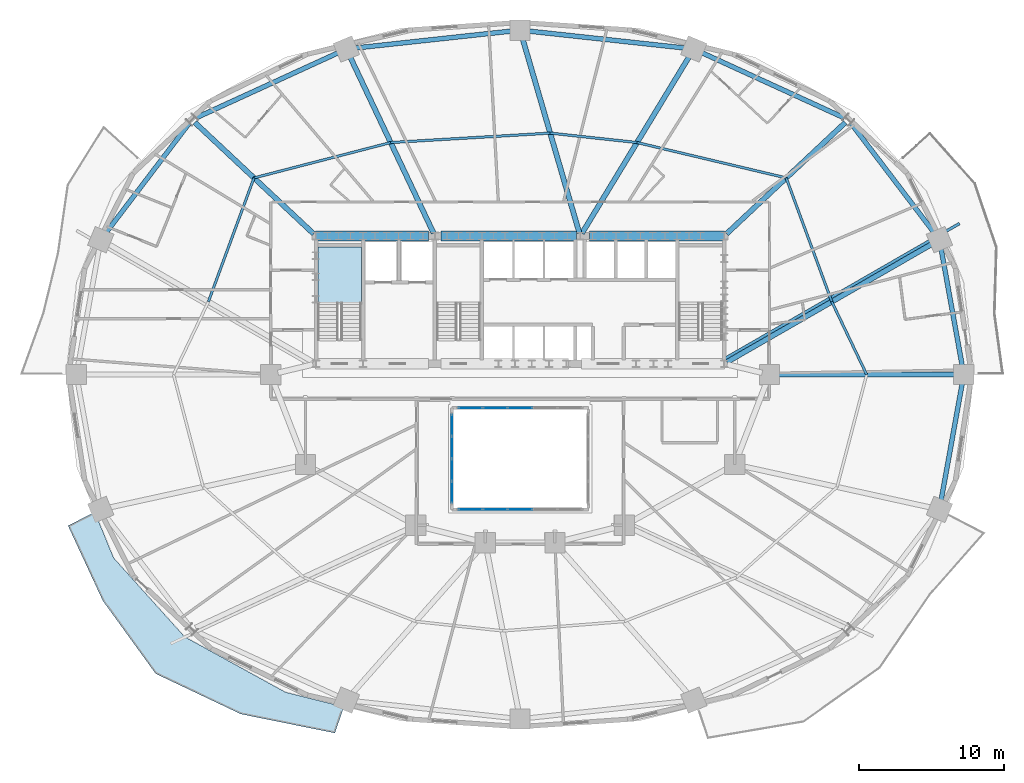
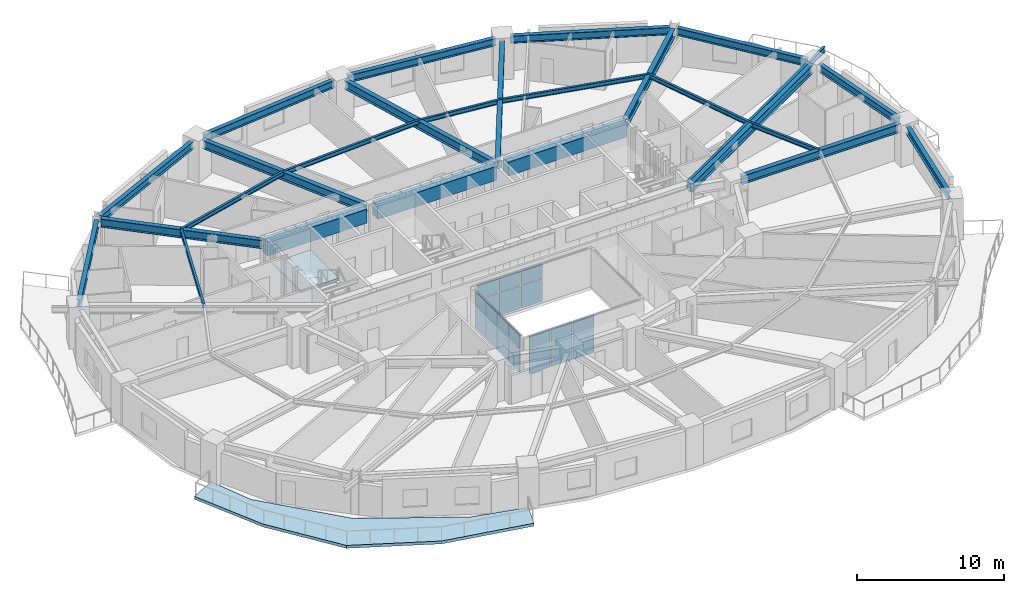
# One storey, part 7 of 17: 26 beams, 20 plates, 2 slabs, 4 elements without a shape of their own.
"""IFC4 building model written with IfcOpenShell, lengths in metres."""

from ifc_helpers import new_model, si_unit, direction, frame, origin, origin_2d, place, context, subcontext, project, spatial, polyline, rectangle, i_section, outline, extrude, material, layer, layer_set, material_profile, profile_set, type_object, element, aggregate, save


model = new_model("IFC4")

# Units and contexts
model_context = context("Model", 3, precision=1e-05, world=origin(), true_north=direction((0.0, 1.0)))
body_context = subcontext(model_context, "Body", "Model", "MODEL_VIEW")
ifc_project = project(units=[si_unit("LENGTHUNIT", "METRE"), si_unit("AREAUNIT", "SQUARE_METRE"), si_unit("VOLUMEUNIT", "CUBIC_METRE"), si_unit("PLANEANGLEUNIT", "RADIAN"), si_unit("MASSUNIT", "GRAM", prefix="KILO")], contexts=[model_context])

# Site, building, storey
site_placement = place(None, origin())
site = spatial("IfcSite", under=ifc_project, at=site_placement, CompositionType="ELEMENT")
building_placement = place(site_placement, origin())
building = spatial("IfcBuilding", under=site, at=building_placement, Name="Haldorwick Loom Tower", CompositionType="ELEMENT")
storey_placement = place(building_placement, frame((0.0, 0.0, 34.35009765625)))
storey = spatial("IfcBuildingStorey", under=building, at=storey_placement, Name="L08", CompositionType="ELEMENT", Elevation=34.35009765625)

# Beams
ifc_material_1 = material(Name="Steel CSA G40.21 350W", Category="steel")
ifc_material_profile_1 = material_profile(ifc_material_1, i_section(OverallWidth=0.193115234375, OverallDepth=0.466064453125, WebThickness=0.011474609375, FlangeThickness=0.01904296875, at=origin_2d()), Name="W460X97", Category="steel")
ifc_profile_set_1 = profile_set([ifc_material_profile_1], Name="Steel CSA G40.21 350W")
beam_type_1 = type_object("IfcBeamType", Name="STR-BM-BAL460", PredefinedType="BEAM", material=ifc_profile_set_1)
beam_1_placement = place(storey_placement, frame((50.125244140625, 27.10498046875, 2.976806640625), z_axis=(0.866607024941, 0.49899124674, 0.0), x_axis=(-0.49899124674, 0.866607024941, 0.0)))
element("IfcBeam", 1, at=beam_1_placement, inside=storey, type_object=beam_type_1, Name="L08 Continuous Back-Spanned Balcony Beam 4", PredefinedType="BEAM", context=body_context, shape_type="SweptSolid", body=[
    extrude(i_section(OverallWidth=0.193115234375, OverallDepth=0.466064453125, WebThickness=0.011474609375, FlangeThickness=0.01904296875, at=origin_2d()), origin(), (0.0, 0.0, 1.0), 18.65771484375),
])
ifc_material_2 = material(Name="Concrete C60 (60 MPa)", Category="concrete")
ifc_material_profile_2 = material_profile(ifc_material_2, rectangle(XDim=0.699951171875, YDim=1.14990234375, at=origin_2d()), Name="RC700X1150", Category="concrete")
ifc_profile_set_2 = profile_set([ifc_material_profile_2], Name="Concrete C60 (60 MPa)")
beam_type_2 = type_object("IfcBeamType", Name="STR-BM-CB1150", PredefinedType="LINTEL", material=ifc_profile_set_2)
beam_2_placement = place(storey_placement, frame((21.89990234375, 35.550048828125, 2.635009765625), z_axis=(1.0, 0.0, 0.0), x_axis=(0.0, 1.0, 0.0)))
element("IfcBeam", 2, at=beam_2_placement, inside=storey, type_object=beam_type_2, Name="L08 Core Coupling Beam CB-N1", PredefinedType="LINTEL", context=body_context, shape_type="SweptSolid", body=[
    extrude(rectangle(XDim=0.699951171875, YDim=1.14990234375, at=origin_2d()), origin(), (0.0, 0.0, 1.0), 7.800048828125),
])
beam_3_placement = place(storey_placement, frame((30.550048828125, 35.550048828125, 2.635009765625), z_axis=(1.0, 0.0, 0.0), x_axis=(0.0, 1.0, 0.0)))
element("IfcBeam", 3, at=beam_3_placement, inside=storey, type_object=beam_type_2, Name="L08 Core Coupling Beam CB-N2", PredefinedType="LINTEL", context=body_context, shape_type="SweptSolid", body=[
    extrude(rectangle(XDim=0.699951171875, YDim=1.14990234375, at=origin_2d()), origin(), (0.0, 0.0, 1.0), 9.349853515625),
])
beam_4_placement = place(storey_placement, frame((40.800048828125, 35.550048828125, 2.635009765625), z_axis=(1.0, 0.0, 0.0), x_axis=(0.0, 1.0, 0.0)))
element("IfcBeam", 4, at=beam_4_placement, inside=storey, type_object=beam_type_2, Name="L08 Core Coupling Beam CB-N3", PredefinedType="LINTEL", context=body_context, shape_type="SweptSolid", body=[
    extrude(rectangle(XDim=0.699951171875, YDim=1.14990234375, at=origin_2d()), origin(), (0.0, 0.0, 1.0), 9.300048828125),
])
ifc_material_profile_3 = material_profile(ifc_material_1, i_section(OverallWidth=0.172119140625, OverallDepth=0.35791015625, WebThickness=0.0078125, FlangeThickness=0.01318359375, at=origin_2d()), Name="W360X57", Category="steel")
ifc_profile_set_3 = profile_set([ifc_material_profile_3], Name="Steel CSA G40.21 350W")
beam_type_3 = type_object("IfcBeamType", Name="STR-BM-J360", PredefinedType="JOIST", material=ifc_profile_set_3)
beam_5_placement = place(storey_placement, frame((59.89794921875, 26.0, 3.031005859375), z_axis=(-0.431630738849, 0.902050389546, 0.0), x_axis=(-0.902050389546, -0.431630738849, 0.0)))
element("IfcBeam", 5, at=beam_5_placement, inside=storey, type_object=beam_type_3, Name="L08 Mid-Bay Secondary Joist 1", PredefinedType="JOIST", context=body_context, shape_type="SweptSolid", body=[
    extrude(i_section(OverallWidth=0.172119140625, OverallDepth=0.35791015625, WebThickness=0.0078125, FlangeThickness=0.01318359375, at=origin_2d()), origin(), (0.0, 0.0, 1.0), 5.5703125),
])
beam_6_placement = place(storey_placement, frame((57.49365234375, 31.024658203125, 3.031005859375), z_axis=(-0.345576005762, 0.938390763084, 0.0), x_axis=(-0.938390763084, -0.345576005762, 0.0)))
element("IfcBeam", 6, at=beam_6_placement, inside=storey, type_object=beam_type_3, Name="L08 Mid-Bay Secondary Joist 2", PredefinedType="JOIST", context=body_context, shape_type="SweptSolid", body=[
    extrude(i_section(OverallWidth=0.172119140625, OverallDepth=0.35791015625, WebThickness=0.0078125, FlangeThickness=0.01318359375, at=origin_2d()), origin(), (0.0, 0.0, 1.0), 9.0966796875),
])
beam_7_placement = place(storey_placement, frame((54.35009765625, 39.560791015625, 3.031005859375), z_axis=(-0.973016191143, 0.230736845289, 0.0), x_axis=(-0.230736845289, -0.973016191143, 0.0)))
element("IfcBeam", 7, at=beam_7_placement, inside=storey, type_object=beam_type_3, Name="L08 Mid-Bay Secondary Joist 3", PredefinedType="JOIST", context=body_context, shape_type="SweptSolid", body=[
    extrude(i_section(OverallWidth=0.172119140625, OverallDepth=0.35791015625, WebThickness=0.0078125, FlangeThickness=0.01318359375, at=origin_2d()), origin(), (0.0, 0.0, 1.0), 10.5712890625),
])
beam_8_placement = place(storey_placement, frame((44.06396484375, 42.0, 3.031005859375), z_axis=(-0.994163660215, 0.107882420753, 0.0), x_axis=(-0.107882420753, -0.994163660215, 0.0)))
element("IfcBeam", 8, at=beam_8_placement, inside=storey, type_object=beam_type_3, Name="L08 Mid-Bay Secondary Joist 4", PredefinedType="JOIST", context=body_context, shape_type="SweptSolid", body=[
    extrude(i_section(OverallWidth=0.172119140625, OverallDepth=0.35791015625, WebThickness=0.0078125, FlangeThickness=0.01318359375, at=origin_2d()), origin(), (0.0, 0.0, 1.0), 6.024169921875),
])
beam_9_placement = place(storey_placement, frame((38.074951171875, 42.64990234375, 3.031005859375), z_axis=(-0.998258904552, -0.058984400336, 0.0), x_axis=(0.058984400336, -0.998258904552, 0.0)))
element("IfcBeam", 9, at=beam_9_placement, inside=storey, type_object=beam_type_3, Name="L08 Mid-Bay Secondary Joist 5", PredefinedType="JOIST", context=body_context, shape_type="SweptSolid", body=[
    extrude(i_section(OverallWidth=0.172119140625, OverallDepth=0.35791015625, WebThickness=0.0078125, FlangeThickness=0.01318359375, at=origin_2d()), origin(), (0.0, 0.0, 1.0), 11.018310546875),
])
beam_10_placement = place(storey_placement, frame((27.075927734375, 42.0, 3.031005859375), z_axis=(-0.968110955806, -0.250521809927, 0.0), x_axis=(0.250521809927, -0.968110955806, 0.0)))
element("IfcBeam", 10, at=beam_10_placement, inside=storey, type_object=beam_type_3, Name="L08 Mid-Bay Secondary Joist 6", PredefinedType="JOIST", context=body_context, shape_type="SweptSolid", body=[
    extrude(i_section(OverallWidth=0.172119140625, OverallDepth=0.35791015625, WebThickness=0.0078125, FlangeThickness=0.01318359375, at=origin_2d()), origin(), (0.0, 0.0, 1.0), 9.736572265625),
])
beam_11_placement = place(storey_placement, frame((17.64990234375, 39.560791015625, 3.031005859375), z_axis=(-0.345576005762, -0.938390763084, 0.0), x_axis=(0.938390763084, -0.345576005762, 0.0)))
element("IfcBeam", 11, at=beam_11_placement, inside=storey, type_object=beam_type_3, Name="L08 Mid-Bay Secondary Joist 7", PredefinedType="JOIST", context=body_context, shape_type="SweptSolid", body=[
    extrude(i_section(OverallWidth=0.172119140625, OverallDepth=0.35791015625, WebThickness=0.0078125, FlangeThickness=0.01318359375, at=origin_2d()), origin(), (0.0, 0.0, 1.0), 9.0966796875),
])
ifc_material_profile_4 = material_profile(ifc_material_1, i_section(OverallWidth=0.324951171875, OverallDepth=0.615966796875, WebThickness=0.013916015625, FlangeThickness=0.021484375, at=origin_2d()), Name="W610X174", Category="steel")
ifc_profile_set_4 = profile_set([ifc_material_profile_4], Name="Steel CSA G40.21 350W")
beam_type_4 = type_object("IfcBeamType", Name="STR-BM-SP610", PredefinedType="SPANDREL", material=ifc_profile_set_4)
beam_12_placement = place(storey_placement, frame((66.503662109375, 26.51171875, 2.90185546875), z_axis=(-0.177641139482, 0.984095333575, 0.0), x_axis=(-0.984095333575, -0.177641139482, 0.0)))
element("IfcBeam", 12, at=beam_12_placement, inside=storey, type_object=beam_type_4, Name="L08 Perimeter Spandrel 1", PredefinedType="SPANDREL", context=body_context, shape_type="SweptSolid", body=[
    extrude(i_section(OverallWidth=0.324951171875, OverallDepth=0.615966796875, WebThickness=0.013916015625, FlangeThickness=0.021484375, at=origin_2d()), origin(), (0.0, 0.0, 1.0), 8.40966796875),
])
beam_13_placement = place(storey_placement, frame((64.602783203125, 35.713134765625, 2.90185546875), z_axis=(-0.605084557744, 0.796161213562, 0.0), x_axis=(-0.796161213562, -0.605084557744, 0.0)))
element("IfcBeam", 13, at=beam_13_placement, inside=storey, type_object=beam_type_4, Name="L08 Perimeter Spandrel 2", PredefinedType="SPANDREL", context=body_context, shape_type="SweptSolid", body=[
    extrude(i_section(OverallWidth=0.324951171875, OverallDepth=0.615966796875, WebThickness=0.013916015625, FlangeThickness=0.021484375, at=origin_2d()), origin(), (0.0, 0.0, 1.0), 9.595703125),
])
beam_14_placement = place(storey_placement, frame((58.380126953125, 43.68603515625, 2.90185546875), z_axis=(-0.909173805321, 0.416416848504, 0.0), x_axis=(-0.416416848504, -0.909173805321, 0.0)))
element("IfcBeam", 14, at=beam_14_placement, inside=storey, type_object=beam_type_4, Name="L08 Perimeter Spandrel 3", PredefinedType="SPANDREL", context=body_context, shape_type="SweptSolid", body=[
    extrude(i_section(OverallWidth=0.324951171875, OverallDepth=0.615966796875, WebThickness=0.013916015625, FlangeThickness=0.021484375, at=origin_2d()), origin(), (0.0, 0.0, 1.0), 10.92138671875),
])
for number, where, z_axis, x_axis, name in (
    (15, (47.4609375, 48.50634765625, 2.90185546875), (-0.994164438636, 0.107875247167, 0.0), (-0.107875247167, -0.994164438636, 0.0), "L08 Perimeter Spandrel 4"),
    (16, (35.48291015625, 49.69384765625, 2.90185546875), (-0.994164438636, -0.107875247167, 0.0), (0.107875247167, -0.994164438636, 0.0), "L08 Perimeter Spandrel 5"),
):
    element("IfcBeam", number, at=place(storey_placement, frame(where, z_axis=z_axis, x_axis=x_axis)), inside=storey, type_object=beam_type_4, Name=name, PredefinedType="SPANDREL", context=body_context, shape_type="SweptSolid", body=[
        extrude(i_section(OverallWidth=0.324951171875, OverallDepth=0.615966796875, WebThickness=0.013916015625, FlangeThickness=0.021484375, at=origin_2d()), origin(), (0.0, 0.0, 1.0), 11.008056640625),
    ])
beam_15_placement = place(storey_placement, frame((23.54931640625, 48.23388671875, 2.90185546875), z_axis=(-0.909173805321, -0.416416848504, 0.0), x_axis=(0.416416848504, -0.909173805321, 0.0)))
element("IfcBeam", 17, at=beam_15_placement, inside=storey, type_object=beam_type_4, Name="L08 Perimeter Spandrel 6", PredefinedType="SPANDREL", context=body_context, shape_type="SweptSolid", body=[
    extrude(i_section(OverallWidth=0.324951171875, OverallDepth=0.615966796875, WebThickness=0.013916015625, FlangeThickness=0.021484375, at=origin_2d()), origin(), (0.0, 0.0, 1.0), 10.92138671875),
])
beam_16_placement = place(storey_placement, frame((13.203369140625, 43.352783203125, 2.90185546875), z_axis=(-0.605084557744, -0.796161213562, 0.0), x_axis=(0.796161213562, -0.605084557744, 0.0)))
element("IfcBeam", 18, at=beam_16_placement, inside=storey, type_object=beam_type_4, Name="L08 Perimeter Spandrel 7", PredefinedType="SPANDREL", context=body_context, shape_type="SweptSolid", body=[
    extrude(i_section(OverallWidth=0.324951171875, OverallDepth=0.615966796875, WebThickness=0.013916015625, FlangeThickness=0.021484375, at=origin_2d()), origin(), (0.0, 0.0, 1.0), 9.595703125),
])
beam_17_placement = place(storey_placement, frame((65.009765625, 17.21240234375, 2.90185546875), z_axis=(0.177641139482, 0.984095333575, 0.0), x_axis=(-0.984095333575, 0.177641139482, 0.0)))
element("IfcBeam", 19, at=beam_17_placement, inside=storey, type_object=beam_type_4, Name="L08 Perimeter Spandrel 16", PredefinedType="SPANDREL", context=body_context, shape_type="SweptSolid", body=[
    extrude(i_section(OverallWidth=0.324951171875, OverallDepth=0.615966796875, WebThickness=0.013916015625, FlangeThickness=0.021484375, at=origin_2d()), origin(), (0.0, 0.0, 1.0), 8.40966796875),
])
ifc_material_profile_5 = material_profile(ifc_material_1, i_section(OverallWidth=0.35498046875, OverallDepth=0.695068359375, WebThickness=0.015380859375, FlangeThickness=0.02490234375, at=origin_2d()), Name="W690X217", Category="steel")
ifc_profile_set_5 = profile_set([ifc_material_profile_5], Name="Steel CSA G40.21 350W")
beam_type_5 = type_object("IfcBeamType", Name="STR-BM-W690", PredefinedType="BEAM", material=ifc_profile_set_5)
beam_18_placement = place(storey_placement, frame((53.719970703125, 26.0, 2.8623046875), z_axis=(1.0, 0.0, 0.0), x_axis=(0.0, 1.0, 0.0)))
element("IfcBeam", 20, at=beam_18_placement, inside=storey, type_object=beam_type_5, Name="L08 Radial Floor Girder 1", PredefinedType="BEAM", context=body_context, shape_type="SweptSolid", body=[
    extrude(i_section(OverallWidth=0.35498046875, OverallDepth=0.695068359375, WebThickness=0.015380859375, FlangeThickness=0.02490234375, at=origin_2d()), origin(), (0.0, 0.0, 1.0), 12.35595703125),
])
beam_19_placement = place(storey_placement, frame((50.264892578125, 26.8623046875, 2.8623046875), z_axis=(0.86660566838, 0.498993602696, 0.0), x_axis=(-0.498993602696, 0.86660566838, 0.0)))
element("IfcBeam", 21, at=beam_19_placement, inside=storey, type_object=beam_type_5, Name="L08 Radial Floor Girder 2", PredefinedType="BEAM", context=body_context, shape_type="SweptSolid", body=[
    extrude(i_section(OverallWidth=0.35498046875, OverallDepth=0.695068359375, WebThickness=0.015380859375, FlangeThickness=0.02490234375, at=origin_2d()), origin(), (0.0, 0.0, 1.0), 16.387939453125),
])
beam_20_placement = place(storey_placement, frame((50.234130859375, 35.703857421875, 2.8623046875), z_axis=(0.729689033278, 0.683779141766, 0.0), x_axis=(-0.683779141766, 0.729689033278, 0.0)))
element("IfcBeam", 22, at=beam_20_placement, inside=storey, type_object=beam_type_5, Name="L08 Radial Floor Girder 3", PredefinedType="BEAM", context=body_context, shape_type="SweptSolid", body=[
    extrude(i_section(OverallWidth=0.35498046875, OverallDepth=0.695068359375, WebThickness=0.015380859375, FlangeThickness=0.02490234375, at=origin_2d()), origin(), (0.0, 0.0, 1.0), 11.231201171875),
])
beam_21_placement = place(storey_placement, frame((40.2666015625, 35.742431640625, 2.8623046875), z_axis=(0.518781813409, 0.854906679162, 0.0), x_axis=(-0.854906679162, 0.518781813409, 0.0)))
element("IfcBeam", 23, at=beam_21_placement, inside=storey, type_object=beam_type_5, Name="L08 Radial Floor Girder 4", PredefinedType="BEAM", context=body_context, shape_type="SweptSolid", body=[
    extrude(i_section(OverallWidth=0.35498046875, OverallDepth=0.695068359375, WebThickness=0.015380859375, FlangeThickness=0.02490234375, at=origin_2d()), origin(), (0.0, 0.0, 1.0), 14.344482421875),
])
beam_22_placement = place(storey_placement, frame((40.0869140625, 35.76611328125, 2.8623046875), z_axis=(-0.28051378914, 0.959849995625, 0.0), x_axis=(-0.959849995625, -0.28051378914, 0.0)))
element("IfcBeam", 24, at=beam_22_placement, inside=storey, type_object=beam_type_5, Name="L08 Radial Floor Girder 5", PredefinedType="BEAM", context=body_context, shape_type="SweptSolid", body=[
    extrude(i_section(OverallWidth=0.35498046875, OverallDepth=0.695068359375, WebThickness=0.015380859375, FlangeThickness=0.02490234375, at=origin_2d()), origin(), (0.0, 0.0, 1.0), 14.048828125),
])
beam_23_placement = place(storey_placement, frame((30.03369140625, 35.75341796875, 2.8623046875), z_axis=(-0.427945149389, 0.903804707398, 0.0), x_axis=(-0.903804707398, -0.427945149389, 0.0)))
element("IfcBeam", 25, at=beam_23_placement, inside=storey, type_object=beam_type_5, Name="L08 Radial Floor Girder 6", PredefinedType="BEAM", context=body_context, shape_type="SweptSolid", body=[
    extrude(i_section(OverallWidth=0.35498046875, OverallDepth=0.695068359375, WebThickness=0.015380859375, FlangeThickness=0.02490234375, at=origin_2d()), origin(), (0.0, 0.0, 1.0), 13.528076171875),
])
beam_24_placement = place(storey_placement, frame((21.765869140625, 35.703857421875, 2.8623046875), z_axis=(-0.729689033278, 0.683779141766, 0.0), x_axis=(-0.683779141766, -0.729689033278, 0.0)))
element("IfcBeam", 26, at=beam_24_placement, inside=storey, type_object=beam_type_5, Name="L08 Radial Floor Girder 7", PredefinedType="BEAM", context=body_context, shape_type="SweptSolid", body=[
    extrude(i_section(OverallWidth=0.35498046875, OverallDepth=0.695068359375, WebThickness=0.015380859375, FlangeThickness=0.02490234375, at=origin_2d()), origin(), (0.0, 0.0, 1.0), 11.231201171875),
])

# Curtain wall, plates
ifc_material_3 = material(Name="Thermally Broken Anodized Aluminium Curtain Wall Framing", Category="aluminium")
curtain_wall_type = type_object("IfcCurtainWallType", Name="ARC-CW-03", PredefinedType="NOTDEFINED", material=ifc_material_3)
curtain_wall_1_placement = place(storey_placement, origin())
curtain_wall_1 = element("IfcCurtainWall", 27, at=curtain_wall_1_placement, inside=storey, type_object=curtain_wall_type, Name="L08 Atrium Glazed Screen S", PredefinedType="NOTDEFINED")
ifc_material_4 = material(Name="Triple-Glazed Low-E Argon Insulated Glazing Unit", Category="glass")
ifc_layer_1 = layer(ifc_material_4, 0.04296875, Name="Triple-Glazed Low-E Argon Insulated Glazing Unit", Category="glass")
ifc_layer_set_1 = layer_set([ifc_layer_1], Name="Triple-Glazed Low-E Argon Insulated Glazing Unit")
plate_type = type_object("IfcPlateType", Name="ARC-CWP-03", PredefinedType="CURTAIN_PANEL", material=ifc_layer_set_1)
plate_1_placement = place(storey_placement, frame((36.0, 16.699951171875, 0.06591796875), z_axis=(0.0, 0.0, 1.0), x_axis=(-1.0, 0.0, 0.0)))
plate_1 = element("IfcPlate", 28, at=plate_1_placement, type_object=plate_type, Name="CW-03 panel 3.1", PredefinedType="CURTAIN_PANEL", context=body_context, shape_type="SweptSolid", body=[
    extrude(rectangle(XDim=1.654052734375, YDim=0.04296875, at=origin_2d()), origin(), (0.0, 0.0, 1.0), 1.90087890625),
])
plate_2_placement = place(storey_placement, frame((36.0, 16.699951171875, 2.03271484375), z_axis=(0.0, 0.0, 1.0), x_axis=(-1.0, 0.0, 0.0)))
plate_2 = element("IfcPlate", 29, at=plate_2_placement, type_object=plate_type, Name="CW-03 panel 3.2", PredefinedType="CURTAIN_PANEL", context=body_context, shape_type="SweptSolid", body=[
    extrude(rectangle(XDim=1.654052734375, YDim=0.04296875, at=origin_2d()), origin(), (0.0, 0.0, 1.0), 1.111083984375),
])
plate_3_placement = place(storey_placement, frame((34.280029296875, 16.699951171875, 0.06591796875), z_axis=(0.0, 0.0, 1.0), x_axis=(-1.0, 0.0, 0.0)))
plate_3 = element("IfcPlate", 30, at=plate_3_placement, type_object=plate_type, Name="CW-03 panel 4.1", PredefinedType="CURTAIN_PANEL", context=body_context, shape_type="SweptSolid", body=[
    extrude(rectangle(XDim=1.654052734375, YDim=0.04296875, at=origin_2d()), origin(), (0.0, 0.0, 1.0), 1.90087890625),
])
plate_4_placement = place(storey_placement, frame((34.280029296875, 16.699951171875, 2.03271484375), z_axis=(0.0, 0.0, 1.0), x_axis=(-1.0, 0.0, 0.0)))
plate_4 = element("IfcPlate", 31, at=plate_4_placement, type_object=plate_type, Name="CW-03 panel 4.2", PredefinedType="CURTAIN_PANEL", context=body_context, shape_type="SweptSolid", body=[
    extrude(rectangle(XDim=1.654052734375, YDim=0.04296875, at=origin_2d()), origin(), (0.0, 0.0, 1.0), 1.111083984375),
])
plate_5_placement = place(storey_placement, frame((32.576416015625, 16.699951171875, 0.06591796875), z_axis=(0.0, 0.0, 1.0), x_axis=(-1.0, 0.0, 0.0)))
plate_5 = element("IfcPlate", 32, at=plate_5_placement, type_object=plate_type, Name="CW-03 panel 5.1", PredefinedType="CURTAIN_PANEL", context=body_context, shape_type="SweptSolid", body=[
    extrude(rectangle(XDim=1.62109375, YDim=0.04296875, at=origin_2d()), origin(), (0.0, 0.0, 1.0), 1.90087890625),
])
plate_6_placement = place(storey_placement, frame((32.576416015625, 16.699951171875, 2.03271484375), z_axis=(0.0, 0.0, 1.0), x_axis=(-1.0, 0.0, 0.0)))
plate_6 = element("IfcPlate", 33, at=plate_6_placement, type_object=plate_type, Name="CW-03 panel 5.2", PredefinedType="CURTAIN_PANEL", context=body_context, shape_type="SweptSolid", body=[
    extrude(rectangle(XDim=1.62109375, YDim=0.04296875, at=origin_2d()), origin(), (0.0, 0.0, 1.0), 1.111083984375),
])
aggregate(curtain_wall_1, [plate_1, plate_2, plate_3, plate_4, plate_5, plate_6])

curtain_wall_2_placement = place(storey_placement, origin())
curtain_wall_2 = element("IfcCurtainWall", 34, at=curtain_wall_2_placement, inside=storey, type_object=curtain_wall_type, Name="L08 Atrium Glazed Screen N", PredefinedType="NOTDEFINED")
plate_7_placement = place(storey_placement, frame((32.576416015625, 23.699951171875, 0.06591796875), z_axis=(0.0, 0.0, 1.0), x_axis=(1.0, 0.0, 0.0)))
plate_7 = element("IfcPlate", 35, at=plate_7_placement, type_object=plate_type, Name="CW-03 panel 1.1", PredefinedType="CURTAIN_PANEL", context=body_context, shape_type="SweptSolid", body=[
    extrude(rectangle(XDim=1.62109375, YDim=0.04296875, at=origin_2d()), origin(), (0.0, 0.0, 1.0), 1.90087890625),
])
plate_8_placement = place(storey_placement, frame((32.576416015625, 23.699951171875, 2.03271484375), z_axis=(0.0, 0.0, 1.0), x_axis=(1.0, 0.0, 0.0)))
plate_8 = element("IfcPlate", 36, at=plate_8_placement, type_object=plate_type, Name="CW-03 panel 1.2", PredefinedType="CURTAIN_PANEL", context=body_context, shape_type="SweptSolid", body=[
    extrude(rectangle(XDim=1.62109375, YDim=0.04296875, at=origin_2d()), origin(), (0.0, 0.0, 1.0), 1.111083984375),
])
plate_9_placement = place(storey_placement, frame((34.280029296875, 23.699951171875, 0.06591796875), z_axis=(0.0, 0.0, 1.0), x_axis=(1.0, 0.0, 0.0)))
plate_9 = element("IfcPlate", 37, at=plate_9_placement, type_object=plate_type, Name="CW-03 panel 2.1", PredefinedType="CURTAIN_PANEL", context=body_context, shape_type="SweptSolid", body=[
    extrude(rectangle(XDim=1.654052734375, YDim=0.04296875, at=origin_2d()), origin(), (0.0, 0.0, 1.0), 1.90087890625),
])
plate_10_placement = place(storey_placement, frame((34.280029296875, 23.699951171875, 2.03271484375), z_axis=(0.0, 0.0, 1.0), x_axis=(1.0, 0.0, 0.0)))
plate_10 = element("IfcPlate", 38, at=plate_10_placement, type_object=plate_type, Name="CW-03 panel 2.2", PredefinedType="CURTAIN_PANEL", context=body_context, shape_type="SweptSolid", body=[
    extrude(rectangle(XDim=1.654052734375, YDim=0.04296875, at=origin_2d()), origin(), (0.0, 0.0, 1.0), 1.111083984375),
])
plate_11_placement = place(storey_placement, frame((36.0, 23.699951171875, 0.06591796875), z_axis=(0.0, 0.0, 1.0), x_axis=(1.0, 0.0, 0.0)))
plate_11 = element("IfcPlate", 39, at=plate_11_placement, type_object=plate_type, Name="CW-03 panel 3.1", PredefinedType="CURTAIN_PANEL", context=body_context, shape_type="SweptSolid", body=[
    extrude(rectangle(XDim=1.654052734375, YDim=0.04296875, at=origin_2d()), origin(), (0.0, 0.0, 1.0), 1.90087890625),
])
plate_12_placement = place(storey_placement, frame((36.0, 23.699951171875, 2.03271484375), z_axis=(0.0, 0.0, 1.0), x_axis=(1.0, 0.0, 0.0)))
plate_12 = element("IfcPlate", 40, at=plate_12_placement, type_object=plate_type, Name="CW-03 panel 3.2", PredefinedType="CURTAIN_PANEL", context=body_context, shape_type="SweptSolid", body=[
    extrude(rectangle(XDim=1.654052734375, YDim=0.04296875, at=origin_2d()), origin(), (0.0, 0.0, 1.0), 1.111083984375),
])
aggregate(curtain_wall_2, [plate_7, plate_8, plate_9, plate_10, plate_11, plate_12])

curtain_wall_3_placement = place(storey_placement, origin())
curtain_wall_3 = element("IfcCurtainWall", 41, at=curtain_wall_3_placement, inside=storey, type_object=curtain_wall_type, Name="L08 Atrium Glazed Screen W", PredefinedType="NOTDEFINED")
plate_13_placement = place(storey_placement, frame((31.300048828125, 17.8916015625, 0.06591796875), z_axis=(0.0, 0.0, 1.0), x_axis=(0.0, 1.0, 0.0)))
plate_13 = element("IfcPlate", 42, at=plate_13_placement, type_object=plate_type, Name="CW-03 panel 1.1", PredefinedType="CURTAIN_PANEL", context=body_context, shape_type="SweptSolid", body=[
    extrude(rectangle(XDim=1.450927734375, YDim=0.04296875, at=origin_2d()), origin(), (0.0, 0.0, 1.0), 1.90087890625),
])
plate_14_placement = place(storey_placement, frame((31.300048828125, 17.8916015625, 2.03271484375), z_axis=(0.0, 0.0, 1.0), x_axis=(0.0, 1.0, 0.0)))
plate_14 = element("IfcPlate", 43, at=plate_14_placement, type_object=plate_type, Name="CW-03 panel 1.2", PredefinedType="CURTAIN_PANEL", context=body_context, shape_type="SweptSolid", body=[
    extrude(rectangle(XDim=1.450927734375, YDim=0.04296875, at=origin_2d()), origin(), (0.0, 0.0, 1.0), 1.111083984375),
])
plate_15_placement = place(storey_placement, frame((31.300048828125, 19.425048828125, 0.06591796875), z_axis=(0.0, 0.0, 1.0), x_axis=(0.0, 1.0, 0.0)))
plate_15 = element("IfcPlate", 44, at=plate_15_placement, type_object=plate_type, Name="CW-03 panel 2.1", PredefinedType="CURTAIN_PANEL", context=body_context, shape_type="SweptSolid", body=[
    extrude(rectangle(XDim=1.48388671875, YDim=0.04296875, at=origin_2d()), origin(), (0.0, 0.0, 1.0), 1.90087890625),
])
plate_16_placement = place(storey_placement, frame((31.300048828125, 19.425048828125, 2.03271484375), z_axis=(0.0, 0.0, 1.0), x_axis=(0.0, 1.0, 0.0)))
plate_16 = element("IfcPlate", 45, at=plate_16_placement, type_object=plate_type, Name="CW-03 panel 2.2", PredefinedType="CURTAIN_PANEL", context=body_context, shape_type="SweptSolid", body=[
    extrude(rectangle(XDim=1.48388671875, YDim=0.04296875, at=origin_2d()), origin(), (0.0, 0.0, 1.0), 1.111083984375),
])
plate_17_placement = place(storey_placement, frame((31.300048828125, 20.97509765625, 0.06591796875), z_axis=(0.0, 0.0, 1.0), x_axis=(0.0, 1.0, 0.0)))
plate_17 = element("IfcPlate", 46, at=plate_17_placement, type_object=plate_type, Name="CW-03 panel 3.1", PredefinedType="CURTAIN_PANEL", context=body_context, shape_type="SweptSolid", body=[
    extrude(rectangle(XDim=1.48388671875, YDim=0.04296875, at=origin_2d()), origin(), (0.0, 0.0, 1.0), 1.90087890625),
])
plate_18_placement = place(storey_placement, frame((31.300048828125, 20.97509765625, 2.03271484375), z_axis=(0.0, 0.0, 1.0), x_axis=(0.0, 1.0, 0.0)))
plate_18 = element("IfcPlate", 47, at=plate_18_placement, type_object=plate_type, Name="CW-03 panel 3.2", PredefinedType="CURTAIN_PANEL", context=body_context, shape_type="SweptSolid", body=[
    extrude(rectangle(XDim=1.48388671875, YDim=0.04296875, at=origin_2d()), origin(), (0.0, 0.0, 1.0), 1.111083984375),
])
plate_19_placement = place(storey_placement, frame((31.300048828125, 22.508544921875, 0.06591796875), z_axis=(0.0, 0.0, 1.0), x_axis=(0.0, 1.0, 0.0)))
plate_19 = element("IfcPlate", 48, at=plate_19_placement, type_object=plate_type, Name="CW-03 panel 4.1", PredefinedType="CURTAIN_PANEL", context=body_context, shape_type="SweptSolid", body=[
    extrude(rectangle(XDim=1.450927734375, YDim=0.04296875, at=origin_2d()), origin(), (0.0, 0.0, 1.0), 1.90087890625),
])
plate_20_placement = place(storey_placement, frame((31.300048828125, 22.508544921875, 2.03271484375), z_axis=(0.0, 0.0, 1.0), x_axis=(0.0, 1.0, 0.0)))
plate_20 = element("IfcPlate", 49, at=plate_20_placement, type_object=plate_type, Name="CW-03 panel 4.2", PredefinedType="CURTAIN_PANEL", context=body_context, shape_type="SweptSolid", body=[
    extrude(rectangle(XDim=1.450927734375, YDim=0.04296875, at=origin_2d()), origin(), (0.0, 0.0, 1.0), 1.111083984375),
])
aggregate(curtain_wall_3, [plate_13, plate_14, plate_15, plate_16, plate_17, plate_18, plate_19, plate_20])

# Slab
ifc_material_5 = material(Name="Concrete C40 (40 MPa)", Category="concrete")
ifc_layer_2 = layer(ifc_material_5, 0.239990234375, Name="Concrete C40 (40 MPa)", Category="concrete")
ifc_layer_set_2 = layer_set([ifc_layer_2], Name="Concrete C40 (40 MPa)")
slab_type_1 = type_object("IfcSlabType", Name="STR-SLB-BAL240", PredefinedType="FLOOR", material=ifc_layer_set_2)
slab_1_placement = place(storey_placement, frame((0.0, 0.0, -0.239990234375)))
element("IfcSlab", 50, at=slab_1_placement, inside=storey, type_object=slab_type_1, Name="L08 Sinusoidal Balcony Terrace BAL_SW", PredefinedType="FLOOR", context=body_context, shape_type="SweptSolid", body=[
    extrude(outline(polyline([(23.8466796875, 3.09130859375), (19.8203125, 4.0966796875), (19.819091796875, 4.096923828125), (19.81787109375, 4.097412109375), (19.81689453125, 4.09814453125), (12.86767578125, 7.92041015625), (12.8662109375, 7.921142578125), (12.86474609375, 7.922119140625), (12.86376953125, 7.92333984375), (7.97119140625, 13.3525390625), (7.97021484375, 13.353515625), (7.969482421875, 13.3544921875), (7.968994140625, 13.355712890625), (7.968505859375, 13.356689453125), (6.67529296875, 16.51806640625), (4.827880859375, 15.580322265625), (7.230224609375, 10.39892578125), (10.873779296875, 5.372314453125), (16.745361328125, 2.591552734375), (23.228759765625, 1.279541015625), (23.8466796875, 3.09130859375)])), origin(), (0.0, 0.0, 1.0), 0.239990234375),
])

# Stair, slab
stair_type = type_object("IfcStairType", Name="STR-STR-CORE", PredefinedType="HALF_TURN_STAIR", material=ifc_material_5)
stair_placement = place(storey_placement, origin())
stair = element("IfcStair", 51, at=stair_placement, inside=storey, type_object=stair_type, Name="L08 Exit Stair ST-01", PredefinedType="HALF_TURN_STAIR")
ifc_layer_3 = layer(ifc_material_5, 0.199951171875, Name="Concrete C40 (40 MPa)", Category="concrete")
ifc_layer_set_3 = layer_set([ifc_layer_3], Name="Concrete C40 (40 MPa)")
slab_type_2 = type_object("IfcSlabType", Name="STR-SLB-LAND200", PredefinedType="LANDING", material=ifc_layer_set_3)
slab_2_placement = place(storey_placement, frame((0.0, 0.0, 1.52490234375)))
slab_2 = element("IfcSlab", 52, at=slab_2_placement, type_object=slab_type_2, Name="ST-01 landing 1", PredefinedType="LANDING", context=body_context, shape_type="SweptSolid", body=[
    extrude(outline(polyline([(25.050048828125, 30.919921875), (25.050048828125, 34.800048828125), (22.050048828125, 34.800048828125), (22.050048828125, 30.919921875), (25.050048828125, 30.919921875)])), origin(), (0.0, 0.0, 1.0), 0.199951171875),
])
aggregate(stair, [slab_2])

save(model, "model.ifc")
